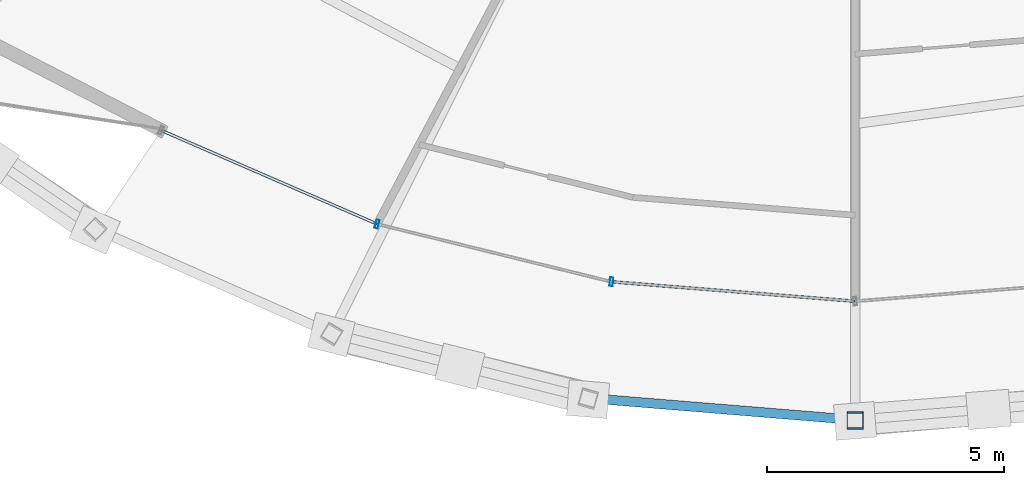
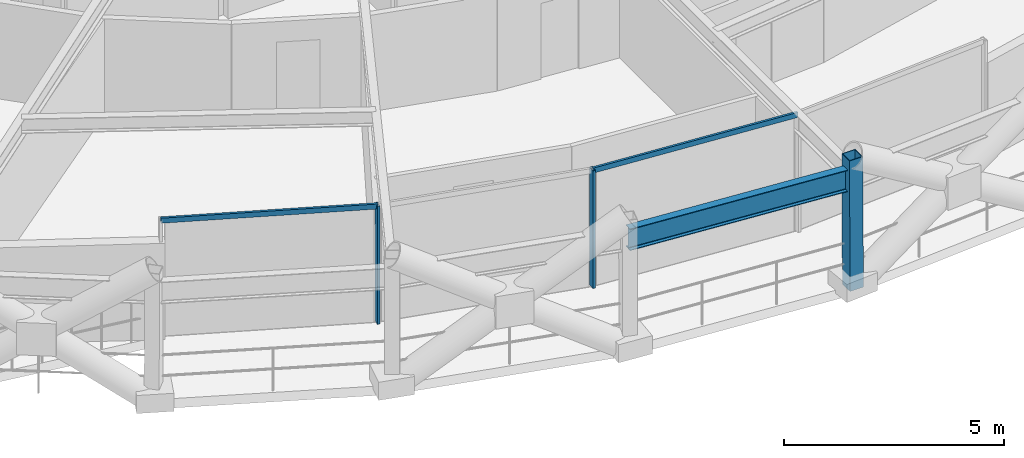
# One storey, part 3 of 23: 5 members, 1 beam, 1 element without a shape of its own.
"""IFC4 building model written with IfcOpenShell, lengths in metres."""

from ifc_helpers import new_model, si_unit, direction, frame, origin, origin_2d, place, context, subcontext, project, spatial, hollow_rectangle, i_section, extrude, material, layer, layer_set, material_profile, profile_set, type_object, element, aggregate, save


model = new_model("IFC4")

# Units and contexts
model_context = context("Model", 3, precision=1e-05, world=origin(), true_north=direction((0.0, 1.0)))
body_context = subcontext(model_context, "Body", "Model", "MODEL_VIEW")
ifc_project = project(units=[si_unit("LENGTHUNIT", "METRE"), si_unit("AREAUNIT", "SQUARE_METRE"), si_unit("VOLUMEUNIT", "CUBIC_METRE"), si_unit("PLANEANGLEUNIT", "RADIAN"), si_unit("MASSUNIT", "GRAM", prefix="KILO")], contexts=[model_context])

# Site, building, storey
site_placement = place(None, origin())
site = spatial("IfcSite", under=ifc_project, at=site_placement, CompositionType="ELEMENT")
building_placement = place(site_placement, origin())
building = spatial("IfcBuilding", under=site, at=building_placement, Name="Veldorina Hangang Commons", CompositionType="ELEMENT")
storey_placement = place(building_placement, frame((0.0, 0.0, 102.39990234375)))
storey = spatial("IfcBuildingStorey", under=building, at=storey_placement, Name="L26", CompositionType="ELEMENT", Elevation=102.39990234375)

# Beam
ifc_material_1 = material(Name="Steel SM420-TMC", Category="steel")
ifc_material_profile_1 = material_profile(ifc_material_1, i_section(OverallWidth=0.199951171875, OverallDepth=0.60009765625, WebThickness=0.010986328125, FlangeThickness=0.01708984375, FilletRadius=0.01806640625, at=origin_2d()), Name="H-600x200x11x17")
ifc_profile_set_1 = profile_set([ifc_material_profile_1], Name="Steel SM420-TMC")
beam_type = type_object("IfcBeamType", Name="BM-RB600", PredefinedType="BEAM", material=ifc_profile_set_1)
beam_placement = place(storey_placement, frame((26.383544921875, 0.60595703125, 3.0), z_axis=(0.996687984877, -0.081320727999, 0.0), x_axis=(0.081320727999, 0.996687984877, 0.0)))
element("IfcBeam", 1, at=beam_placement, inside=storey, type_object=beam_type, Name="L26 perimeter hoop ring beam 23", PredefinedType="BEAM", context=body_context, shape_type="SweptSolid", body=[
    extrude(i_section(OverallWidth=0.199951171875, OverallDepth=0.60009765625, WebThickness=0.010986328125, FlangeThickness=0.01708984375, FilletRadius=0.01806640625, at=origin_2d()), origin(), (0.0, 0.0, 1.0), 5.635009765625),
])

# Curtain wall, members
ifc_material_2 = material(Name="Glass Low-E Triple IGU", Category="glass")
ifc_layer = layer(ifc_material_2, 0.179931640625)
ifc_layer_set = layer_set([ifc_layer], Name="Glass Low-E Triple IGU")
curtain_wall_type = type_object("IfcCurtainWallType", Name="CW-SYS-Z1", PredefinedType="NOTDEFINED", material=ifc_layer_set)
curtain_wall_placement = place(storey_placement, origin())
curtain_wall = element("IfcCurtainWall", 2, at=curtain_wall_placement, inside=storey, type_object=curtain_wall_type, Name="L26 unitised curtain wall CW-L26-R1", PredefinedType="NOTDEFINED")
ifc_material_3 = material(Name="Aluminium Anodized AA6063-T6", Category="aluminium")
ifc_material_profile_2 = material_profile(ifc_material_3, hollow_rectangle(XDim=0.070068359375, YDim=0.179931640625, WallThickness=0.00390625, at=origin_2d()), Name="ALU-RHS-180x70x4")
ifc_profile_set_2 = profile_set([ifc_material_profile_2], Name="Aluminium Anodized AA6063-T6")
member_type_1 = type_object("IfcMemberType", Name="CW-MUL-180", PredefinedType="MULLION", material=ifc_profile_set_2)
member_1_placement = place(storey_placement, frame((21.935546875, 4.271728515625, 0.0), z_axis=(0.0, 0.0, 1.0), x_axis=(0.970980039243, -0.239160538953, 0.0)))
member_1 = element("IfcMember", 3, at=member_1_placement, type_object=member_type_1, Name="CW-L26-R1 vertical mullion 2", PredefinedType="MULLION", context=body_context, shape_type="SweptSolid", body=[
    extrude(hollow_rectangle(XDim=0.070068359375, YDim=0.179931640625, WallThickness=0.00390625, at=origin_2d()), origin(), (0.0, 0.0, 1.0), 3.260009765625),
])
member_2_placement = place(storey_placement, frame((26.869140625, 3.056640625, 0.0), z_axis=(0.0, 0.0, 1.0), x_axis=(0.996817952017, -0.079711796718, 0.0)))
member_2 = element("IfcMember", 4, at=member_2_placement, type_object=member_type_1, Name="CW-L26-R1 vertical mullion 3", PredefinedType="MULLION", context=body_context, shape_type="SweptSolid", body=[
    extrude(hollow_rectangle(XDim=0.070068359375, YDim=0.179931640625, WallThickness=0.00390625, at=origin_2d()), origin(), (0.0, 0.0, 1.0), 3.260009765625),
])
ifc_material_profile_3 = material_profile(ifc_material_3, hollow_rectangle(XDim=0.06005859375, YDim=0.139892578125, WallThickness=0.00341796875, at=origin_2d()), Name="ALU-RHS-140x60x3.5")
ifc_profile_set_3 = profile_set([ifc_material_profile_3], Name="Aluminium Anodized AA6063-T6")
member_type_2 = type_object("IfcMemberType", Name="CW-TRN-140", PredefinedType="USERDEFINED", material=ifc_profile_set_3)
member_3_placement = place(storey_placement, frame((17.388671875, 6.2451171875, 3.22021484375), z_axis=(0.917329059226, -0.398129874663, 0.0), x_axis=(0.398129874663, 0.917329059226, 0.0)))
member_3 = element("IfcMember", 5, at=member_3_placement, type_object=member_type_2, Name="CW-L26-R1 facet 1 transom 1", ObjectType="TRANSOM", PredefinedType="USERDEFINED", context=body_context, shape_type="SweptSolid", body=[
    extrude(hollow_rectangle(XDim=0.06005859375, YDim=0.139892578125, WallThickness=0.00341796875, at=origin_2d()), origin(), (0.0, 0.0, 1.0), 4.95654296875),
])
member_4_placement = place(storey_placement, frame((26.869140625, 3.056640625, 3.22021484375), z_axis=(0.996816334154, -0.079732025967, 0.0), x_axis=(0.079732025967, 0.996816334154, 0.0)))
member_4 = element("IfcMember", 6, at=member_4_placement, type_object=member_type_2, Name="CW-L26-R1 facet 3 transom 1", ObjectType="TRANSOM", PredefinedType="USERDEFINED", context=body_context, shape_type="SweptSolid", body=[
    extrude(hollow_rectangle(XDim=0.06005859375, YDim=0.139892578125, WallThickness=0.00341796875, at=origin_2d()), origin(), (0.0, 0.0, 1.0), 5.147216796875),
])
aggregate(curtain_wall, [member_1, member_2, member_3, member_4])

# Member
ifc_material_4 = material(Name="Steel SM355-TMC", Category="steel")
ifc_material_profile_4 = material_profile(ifc_material_4, hollow_rectangle(XDim=0.35009765625, YDim=0.35009765625, WallThickness=0.01611328125, at=origin_2d()), Name="SHS-350x350x16")
ifc_profile_set_4 = profile_set([ifc_material_profile_4], Name="Steel SM355-TMC")
member_type_3 = type_object("IfcMemberType", Name="STR-SHS350", PredefinedType="STRUT", material=ifc_profile_set_4)
member_5_placement = place(storey_placement, frame((32.0, 0.126220703125, 0.0), z_axis=(0.0, 0.007120394562, 0.999974649669), x_axis=(-1.0, 0.0, 0.0)))
element("IfcMember", 7, at=member_5_placement, inside=storey, type_object=member_type_3, Name="L26 perimeter ring node post 24", PredefinedType="STRUT", context=body_context, shape_type="SweptSolid", body=[
    extrude(hollow_rectangle(XDim=0.35009765625, YDim=0.35009765625, WallThickness=0.01611328125, at=origin_2d()), origin(), (0.0, 0.0, 1.0), 3.60009765625),
])

save(model, "model.ifc")
